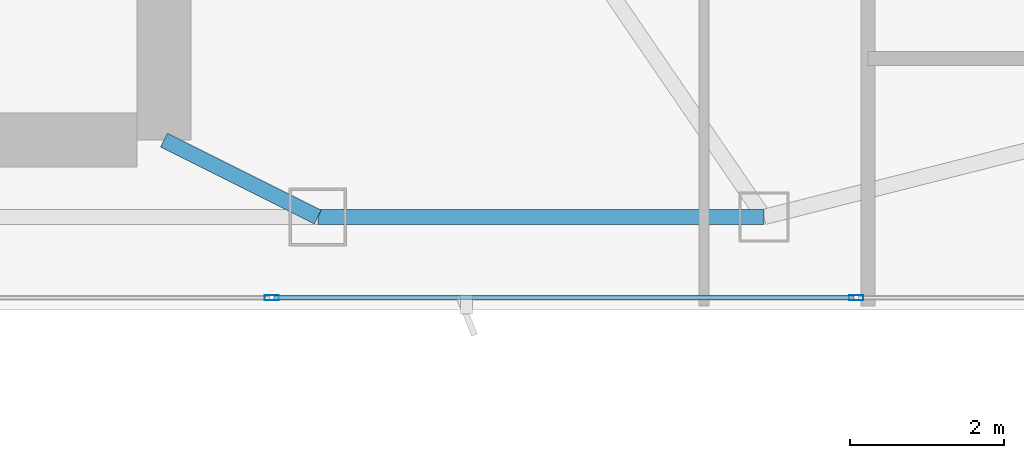
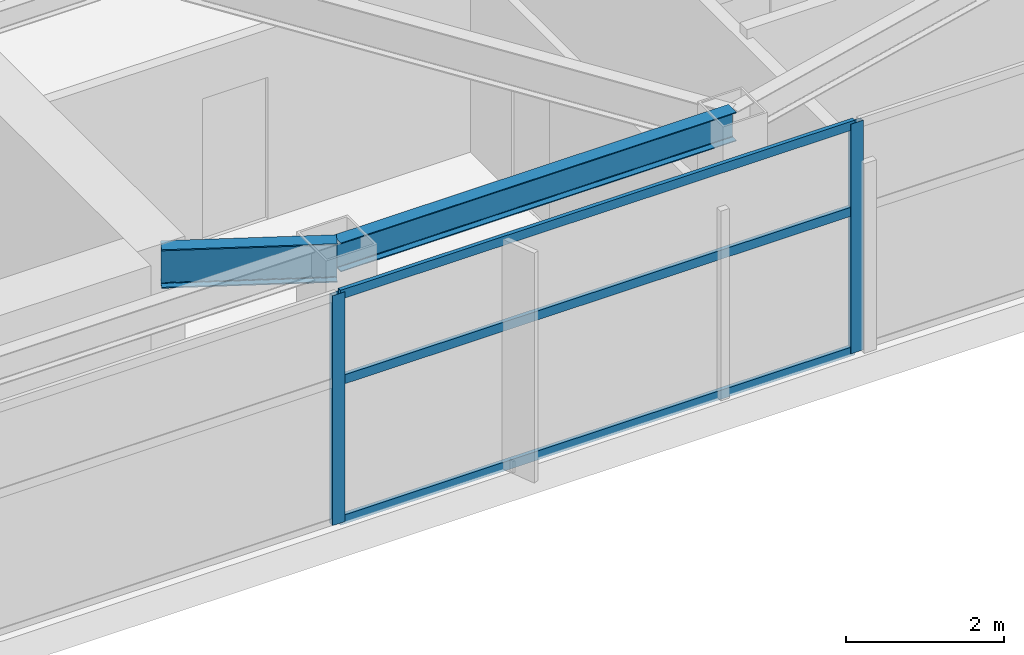
# One storey, part 12 of 29: 5 members, 2 beams, 1 element without a shape of its own.
"""IFC4 building model written with IfcOpenShell, lengths in metres."""

import ifcopenshell
import ifcopenshell.guid

model = None  # the IFC model being written
_history = None  # IfcOwnerHistory: only IFC2X3 demands one
_inside = {}  # id of a spatial element -> (the spatial element, [elements in it])
_under = {}  # id of a project, library or spatial element -> (it, [spatial elements below it])
_declared = {}  # id of a project -> (the project, [libraries it declares])
_typed = {}  # id of a type object -> (the type object, [elements of that type])
_made_of = {}  # id of a material, layer set ... -> (it, [elements and type objects made of it])


def new_model(schema):
    """Start an empty IFC model of exactly this schema.

    Asked for "IFC4X3", IfcOpenShell would pick the latest addendum, in which some entities
    have other attributes; the version numbers below select the first issue.
    IFC2X3 requires an IfcOwnerHistory on every rooted entity: one is made here for all.
    """
    global model, _history
    if schema == "IFC4X3":
        model = ifcopenshell.file(schema_version=(4, 3, 0, 0))
    else:
        model = ifcopenshell.file(schema=schema)
    _inside.clear()
    _under.clear()
    _declared.clear()
    _typed.clear()
    _made_of.clear()
    _history = None
    if model.schema == "IFC2X3":
        org = make("IfcOrganization", Name="unknown")
        user = make(
            "IfcPersonAndOrganization",
            ThePerson=make("IfcPerson", FamilyName="unknown"),
            TheOrganization=org,
        )
        app = make(
            "IfcApplication",
            ApplicationDeveloper=org,
            Version="unknown",
            ApplicationFullName="unknown",
            ApplicationIdentifier="unknown",
        )
        _history = make(
            "IfcOwnerHistory",
            OwningUser=user,
            OwningApplication=app,
            ChangeAction="ADDED",
            CreationDate=0,
        )
    return model


def make(cls, **values):
    """One entity of the class cls with the attributes given. An attribute that is None is left unset."""
    return model.create_entity(
        cls, **{name: value for name, value in values.items() if value is not None}
    )


def rooted(cls, **values):
    """An entity with a GlobalId (a new one), such as an element, a storey or a relation."""
    return make(cls, GlobalId=ifcopenshell.guid.new(), OwnerHistory=_history, **values)


def si_unit(unit_type, name, prefix=None):
    """IfcSIUnit, for example si_unit("LENGTHUNIT", "METRE", prefix="MILLI")."""
    return make("IfcSIUnit", UnitType=unit_type, Prefix=prefix, Name=name)


def assignment(units):
    """IfcUnitAssignment: the units of a project."""
    return None if units is None else make("IfcUnitAssignment", Units=units)


def point(xyz):
    """IfcCartesianPoint."""
    return None if xyz is None else make("IfcCartesianPoint", Coordinates=xyz)


def direction(xyz):
    """IfcDirection."""
    return None if xyz is None else make("IfcDirection", DirectionRatios=xyz)


def frame(location, z_axis=None, x_axis=None):
    """IfcAxis2Placement3D, a coordinate frame: its origin and axes. An axis left out is left unset."""
    return make(
        "IfcAxis2Placement3D",
        Location=point(location),
        Axis=direction(z_axis),
        RefDirection=direction(x_axis),
    )


def frame_2d(location, x_axis=None):
    """IfcAxis2Placement2D, a coordinate frame in the plane: its origin and x axis."""
    return make(
        "IfcAxis2Placement2D", Location=point(location), RefDirection=direction(x_axis)
    )


def origin():
    """The frame at (0, 0, 0) with its axes left unset."""
    return frame((0.0, 0.0, 0.0))


def origin_2d():
    """The frame at (0, 0) in the plane with its x axis left unset."""
    return frame_2d((0.0, 0.0))


def place(relative_to, where):
    """IfcLocalPlacement: puts the frame where relative to a parent placement (None: the world)."""
    return make(
        "IfcLocalPlacement", PlacementRelTo=relative_to, RelativePlacement=where
    )


def context(
    kind, dimensions, precision=None, world=None, true_north=None, identifier=None
):
    """IfcGeometricRepresentationContext, for example the 3D "Model" context."""
    return make(
        "IfcGeometricRepresentationContext",
        ContextIdentifier=identifier,
        ContextType=kind,
        CoordinateSpaceDimension=dimensions,
        Precision=precision,
        WorldCoordinateSystem=world,
        TrueNorth=true_north,
    )


def subcontext(parent, identifier, kind, view, scale=None):
    """IfcGeometricRepresentationSubContext, for example "Body" below "Model"."""
    return make(
        "IfcGeometricRepresentationSubContext",
        ContextIdentifier=identifier,
        ContextType=kind,
        ParentContext=parent,
        TargetScale=scale,
        TargetView=view,
    )


def project(units=None, contexts=None):
    """IfcProject with its units and contexts."""
    return rooted(
        "IfcProject",
        Name="project",
        RepresentationContexts=contexts,
        UnitsInContext=assignment(units),
    )


def spatial(cls, under=None, at=None, **own):
    """A site, building, storey or space (cls), placed at a placement, below another one or the project."""
    s = rooted(cls, ObjectPlacement=at, **own)
    if under is not None:
        _under.setdefault(under.id(), (under, []))[1].append(s)
    return s


def profile(cls, at=None, kind="AREA", **sizes):
    """A parametric profile (cls). Its sizes go by their IFC names, for example OverallWidth=200.0."""
    return make(cls, ProfileType=kind, Position=at, **sizes)


def hollow_rectangle(**sizes):
    """IfcRectangleHollowProfileDef."""
    return profile("IfcRectangleHollowProfileDef", **sizes)


def i_section(**sizes):
    """IfcIShapeProfileDef."""
    return profile("IfcIShapeProfileDef", **sizes)


def extrude(swept, where, along, depth):
    """IfcExtrudedAreaSolid: the profile swept, set in the frame where, extruded along a direction by depth."""
    return make(
        "IfcExtrudedAreaSolid",
        SweptArea=swept,
        Position=where,
        ExtrudedDirection=direction(along),
        Depth=depth,
    )


def shape(context_of_items, identifier, shape_type, items):
    """IfcShapeRepresentation: the items that make up one representation, for example the "Body"."""
    return make(
        "IfcShapeRepresentation",
        ContextOfItems=context_of_items,
        RepresentationIdentifier=identifier,
        RepresentationType=shape_type,
        Items=items,
    )


def material(Name=None, Category=None):
    """IfcMaterial."""
    return make("IfcMaterial", Name=Name, Category=Category)


def layer(
    of_material, thickness, ventilated=None, Name=None, Category=None, Priority=None
):
    """IfcMaterialLayer: one layer of a wall or slab, of a material (None: an air gap)."""
    return make(
        "IfcMaterialLayer",
        Material=of_material,
        LayerThickness=thickness,
        IsVentilated=ventilated,
        Name=Name,
        Category=Category,
        Priority=Priority,
    )


def layer_set(layers, Name=None):
    """IfcMaterialLayerSet."""
    return make("IfcMaterialLayerSet", MaterialLayers=layers, LayerSetName=Name)


def material_profile(
    of_material, cross_section, Name=None, Category=None, Priority=None
):
    """IfcMaterialProfile: a cross section and its material."""
    return make(
        "IfcMaterialProfile",
        Name=Name,
        Material=of_material,
        Profile=cross_section,
        Priority=Priority,
        Category=Category,
    )


def profile_set(profiles, Name=None, composite=None):
    """IfcMaterialProfileSet."""
    return make(
        "IfcMaterialProfileSet",
        Name=Name,
        MaterialProfiles=profiles,
        CompositeProfile=composite,
    )


def made_of(thing, what):
    """Note that an element or type object is made of a material, layer set ...; save() writes the relation."""
    if what is not None:
        _made_of.setdefault(what.id(), (what, []))[1].append(thing)
    return thing


def type_object(cls, material=None, **own):
    """A type object (cls), such as IfcWallType, which elements share."""
    return made_of(rooted(cls, **own), material)


def element(
    cls,
    number,
    at=None,
    inside=None,
    cuts=None,
    type_object=None,
    material=None,
    context=None,
    identifier="Body",
    shape_type=None,
    held_by="IfcProductDefinitionShape",
    body=None,
    shapes=None,
    **own,
):
    """One element of the class cls, such as IfcWall. Its Tag is "e" and its number.

    at: its placement. inside: the storey or other place that contains it. cuts: it is an
    opening in that element (IfcRelVoidsElement). A single representation is given by context,
    identifier, shape_type and body (its items); several are given by shapes. held_by: the class
    of the entity that holds the representations. save() writes the other relations.
    """
    e = rooted(cls, Tag="e%d" % number, ObjectPlacement=at, **own)
    if body is not None:
        shapes = [shape(context, identifier, shape_type, body)]
    if shapes is not None:
        e.Representation = make(held_by, Representations=shapes)
    if inside is not None:
        _inside.setdefault(inside.id(), (inside, []))[1].append(e)
    if cuts is not None:
        rooted(
            "IfcRelVoidsElement", RelatingBuildingElement=cuts, RelatedOpeningElement=e
        )
    if type_object is not None:
        _typed.setdefault(type_object.id(), (type_object, []))[1].append(e)
    return made_of(e, material)


def aggregate(whole, parts):
    """IfcRelAggregates: a whole, such as a stair, and the parts it consists of."""
    return rooted("IfcRelAggregates", RelatingObject=whole, RelatedObjects=parts)


def save(model, path):
    """Write the relations noted so far, then the file.

    IfcRelAggregates (storeys below a building ...), IfcRelContainedInSpatialStructure (elements
    in a storey), IfcRelDefinesByType, IfcRelAssociatesMaterial and IfcRelDeclares: one each for
    every whole, place, type object, material and project.
    """
    for whole, parts in _under.values():
        aggregate(whole, parts)
    for where, things in _inside.values():
        rooted(
            "IfcRelContainedInSpatialStructure",
            RelatedElements=things,
            RelatingStructure=where,
        )
    for kind, things in _typed.values():
        rooted("IfcRelDefinesByType", RelatedObjects=things, RelatingType=kind)
    for what, things in _made_of.values():
        rooted("IfcRelAssociatesMaterial", RelatedObjects=things, RelatingMaterial=what)
    for by, libraries in _declared.values():
        rooted("IfcRelDeclares", RelatingContext=by, RelatedDefinitions=libraries)
    model.write(path)


model = new_model("IFC4")

# Units and contexts
model_context = context("Model", 3, precision=1e-05, world=origin(), true_north=direction((0.0, 1.0)))
body_context = subcontext(model_context, "Body", "Model", "MODEL_VIEW")
ifc_project = project(units=[si_unit("LENGTHUNIT", "METRE"), si_unit("AREAUNIT", "SQUARE_METRE"), si_unit("VOLUMEUNIT", "CUBIC_METRE"), si_unit("PLANEANGLEUNIT", "RADIAN"), si_unit("MASSUNIT", "GRAM", prefix="KILO")], contexts=[model_context])

# Site, building, storey
site_placement = place(None, origin())
site = spatial("IfcSite", under=ifc_project, at=site_placement, CompositionType="ELEMENT")
building_placement = place(site_placement, origin())
building = spatial("IfcBuilding", under=site, at=building_placement, Name="Calvorn Quay Hotel", CompositionType="ELEMENT")
storey_placement = place(building_placement, frame((0.0, 0.0, 199.60009765625)))
storey = spatial("IfcBuildingStorey", under=building, at=storey_placement, Name="L49", CompositionType="ELEMENT", Elevation=199.60009765625)

# Beams
ifc_material_1 = material(Name="Steel Q355B", Category="steel")
ifc_material_profile_1 = material_profile(ifc_material_1, i_section(OverallWidth=0.199951171875, OverallDepth=0.60009765625, WebThickness=0.010986328125, FlangeThickness=0.01708984375, FilletRadius=0.01806640625, at=origin_2d()), Name="HN600x200x11x17")
ifc_profile_set_1 = profile_set([ifc_material_profile_1], Name="Steel Q355B")
beam_type_1 = type_object("IfcBeamType", Name="BM-GIRD-TYP", PredefinedType="BEAM", material=ifc_profile_set_1)
beam_1_placement = place(storey_placement, frame((34.39990234375, 3.60009765625, 3.239990234375), z_axis=(-0.894427191, 0.4472135955, 0.0), x_axis=(-0.4472135955, -0.894427191, 0.0)))
element("IfcBeam", 1, at=beam_1_placement, inside=storey, type_object=beam_type_1, Name="Beam BG-L49-S3", PredefinedType="BEAM", context=body_context, shape_type="SweptSolid", body=[
    extrude(i_section(OverallWidth=0.199951171875, OverallDepth=0.60009765625, WebThickness=0.010986328125, FlangeThickness=0.01708984375, FilletRadius=0.01806640625, at=origin_2d()), origin(), (0.0, 0.0, 1.0), 2.236083984375),
])
ifc_material_2 = material(Name="Steel Q355B", Category="steel")
ifc_material_profile_2 = material_profile(ifc_material_2, i_section(OverallWidth=0.199951171875, OverallDepth=0.449951171875, WebThickness=0.009033203125, FlangeThickness=0.013916015625, FilletRadius=0.01611328125, at=origin_2d()), Name="HN450x200x9x14")
ifc_profile_set_2 = profile_set([ifc_material_profile_2], Name="Steel Q355B")
beam_type_2 = type_object("IfcBeamType", Name="BM-SPANDREL-Z3", PredefinedType="SPANDREL", material=ifc_profile_set_2)
beam_2_placement = place(storey_placement, frame((34.39990234375, 3.60009765625, 3.31494140625), z_axis=(1.0, 0.0, 0.0), x_axis=(0.0, 1.0, 0.0)))
element("IfcBeam", 2, at=beam_2_placement, inside=storey, type_object=beam_type_2, Name="Beam BSP-L49-S4", PredefinedType="SPANDREL", context=body_context, shape_type="SweptSolid", body=[
    extrude(i_section(OverallWidth=0.199951171875, OverallDepth=0.449951171875, WebThickness=0.009033203125, FlangeThickness=0.013916015625, FilletRadius=0.01611328125, at=origin_2d()), origin(), (0.0, 0.0, 1.0), 5.800048828125),
])

# Curtain wall, members
ifc_material_3 = material(Name="Champagne Bronze Anodised Aluminium and Low-E Glass", Category="aluminium")
ifc_layer = layer(ifc_material_3, 0.219970703125)
ifc_layer_set = layer_set([ifc_layer], Name="CW-SYS-Z3")
curtain_wall_type = type_object("IfcCurtainWallType", Name="CW-SYS-Z3", PredefinedType="NOTDEFINED", material=ifc_layer_set)
curtain_wall_placement = place(storey_placement, origin())
curtain_wall = element("IfcCurtainWall", 3, at=curtain_wall_placement, inside=storey, type_object=curtain_wall_type, Name="Tower South Waterfront Curtain Wall (L49)", PredefinedType="NOTDEFINED")
ifc_material_4 = material(Name="Champagne Bronze Anodised Aluminium 6063-T6", Category="aluminium")
ifc_material_profile_3 = material_profile(ifc_material_4, hollow_rectangle(XDim=0.068115234375, YDim=0.18505859375, WallThickness=0.00390625, at=origin_2d()), Name="ALU-M185x68x4")
ifc_profile_set_3 = profile_set([ifc_material_profile_3], Name="Champagne Bronze Anodised Aluminium 6063-T6")
member_type_1 = type_object("IfcMemberType", Name="CW-SYS-Z3-MUL", PredefinedType="MULLION", material=ifc_profile_set_3)
member_1_placement = place(storey_placement, frame((33.800048828125, 2.550048828125, 0.0), z_axis=(0.0, 0.0, 1.0), x_axis=(0.0, 1.0, 0.0)))
member_1 = element("IfcMember", 4, at=member_1_placement, type_object=member_type_1, Name="CW-L49-S mullion 4", PredefinedType="MULLION", context=body_context, shape_type="SweptSolid", body=[
    extrude(hollow_rectangle(XDim=0.068115234375, YDim=0.18505859375, WallThickness=0.00390625, at=origin_2d()), origin(), (0.0, 0.0, 1.0), 3.559814453125),
])
member_2_placement = place(storey_placement, frame((41.39990234375, 2.550048828125, 0.0), z_axis=(0.0, 0.0, 1.0), x_axis=(0.0, 1.0, 0.0)))
member_2 = element("IfcMember", 5, at=member_2_placement, type_object=member_type_1, Name="CW-L49-S mullion 5", PredefinedType="MULLION", context=body_context, shape_type="SweptSolid", body=[
    extrude(hollow_rectangle(XDim=0.068115234375, YDim=0.18505859375, WallThickness=0.00390625, at=origin_2d()), origin(), (0.0, 0.0, 1.0), 3.559814453125),
])
ifc_material_5 = material(Name="Champagne Bronze Anodised Aluminium 6063-T6", Category="aluminium")
ifc_material_profile_4 = material_profile(ifc_material_5, hollow_rectangle(XDim=0.05810546875, YDim=0.139892578125, WallThickness=0.003173828125, at=origin_2d()), Name="ALU-T140x58x3.2")
ifc_profile_set_4 = profile_set([ifc_material_profile_4], Name="Champagne Bronze Anodised Aluminium 6063-T6")
member_type_2 = type_object("IfcMemberType", Name="CW-SYS-Z3-TRN", PredefinedType="USERDEFINED", material=ifc_profile_set_4)
member_3_placement = place(storey_placement, frame((33.830078125, 2.550048828125, 0.02978515625), z_axis=(1.0, 0.0, 0.0), x_axis=(0.0, 1.0, 0.0)))
member_3 = element("IfcMember", 6, at=member_3_placement, type_object=member_type_2, Name="CW-L49-S transom 4.1", ObjectType="TRANSOM", PredefinedType="USERDEFINED", context=body_context, shape_type="SweptSolid", body=[
    extrude(hollow_rectangle(XDim=0.05810546875, YDim=0.139892578125, WallThickness=0.003173828125, at=origin_2d()), origin(), (0.0, 0.0, 1.0), 7.5400390625),
])
member_4_placement = place(storey_placement, frame((33.830078125, 2.550048828125, 2.199951171875), z_axis=(1.0, 0.0, 0.0), x_axis=(0.0, 1.0, 0.0)))
member_4 = element("IfcMember", 7, at=member_4_placement, type_object=member_type_2, Name="CW-L49-S transom 4.2", ObjectType="TRANSOM", PredefinedType="USERDEFINED", context=body_context, shape_type="SweptSolid", body=[
    extrude(hollow_rectangle(XDim=0.05810546875, YDim=0.139892578125, WallThickness=0.003173828125, at=origin_2d()), origin(), (0.0, 0.0, 1.0), 7.5400390625),
])
member_5_placement = place(storey_placement, frame((33.830078125, 2.550048828125, 3.52978515625), z_axis=(1.0, 0.0, 0.0), x_axis=(0.0, 1.0, 0.0)))
member_5 = element("IfcMember", 8, at=member_5_placement, type_object=member_type_2, Name="CW-L49-S transom 4.3", ObjectType="TRANSOM", PredefinedType="USERDEFINED", context=body_context, shape_type="SweptSolid", body=[
    extrude(hollow_rectangle(XDim=0.05810546875, YDim=0.139892578125, WallThickness=0.003173828125, at=origin_2d()), origin(), (0.0, 0.0, 1.0), 7.5400390625),
])
aggregate(curtain_wall, [member_1, member_2, member_3, member_4, member_5])

save(model, "model.ifc")
